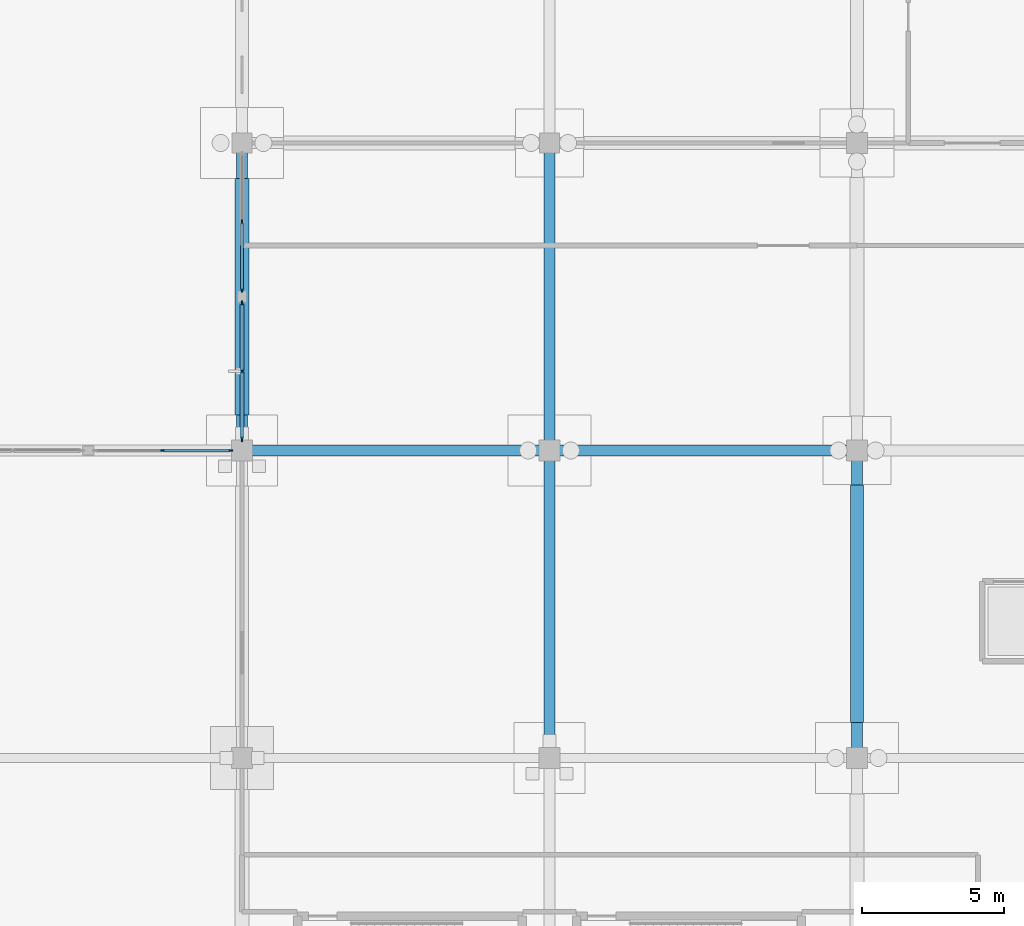
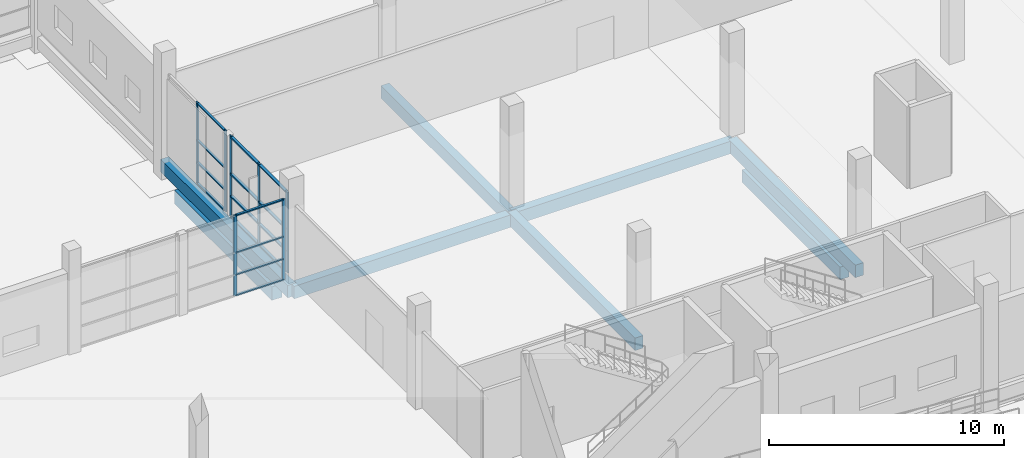
# One storey, part 59 of 138: 23 members, 8 beams, 3 elements without a shape of their own.
"""IFC4 building model written with IfcOpenShell, lengths in metres."""

from ifc_helpers import new_model, si_unit, direction, frame, origin, origin_2d, place, context, subcontext, project, spatial, rectangle, extrude, material, material_profile, profile_set, type_object, element, aggregate, save


model = new_model("IFC4")

# Units and contexts
model_context = context("Model", 3, precision=1e-05, world=origin(), true_north=direction((0.0, 1.0)))
body_context = subcontext(model_context, "Body", "Model", "MODEL_VIEW")
ifc_project = project(units=[si_unit("LENGTHUNIT", "METRE"), si_unit("AREAUNIT", "SQUARE_METRE"), si_unit("VOLUMEUNIT", "CUBIC_METRE"), si_unit("PLANEANGLEUNIT", "RADIAN"), si_unit("MASSUNIT", "GRAM", prefix="KILO")], contexts=[model_context])

# Site, building, storey
site_placement = place(None, origin())
site = spatial("IfcSite", under=ifc_project, at=site_placement, CompositionType="ELEMENT")
building_placement = place(site_placement, origin())
building = spatial("IfcBuilding", under=site, at=building_placement, Name="Zwinboog Wholesale Market", CompositionType="ELEMENT")
storey_placement = place(building_placement, origin())
storey = spatial("IfcBuildingStorey", under=building, at=storey_placement, Name="L00", CompositionType="ELEMENT", Elevation=0.0)

# Beams
ifc_material_1 = material(Name="Precast concrete C45/55", Category="concrete")
ifc_material_profile_1 = material_profile(ifc_material_1, rectangle(XDim=0.39990234375, YDim=0.64990234375, at=origin_2d()), Name="PC 400x650")
ifc_profile_set_1 = profile_set([ifc_material_profile_1], Name="Precast concrete C45/55")
beam_type_1 = type_object("IfcBeamType", Name="BT-05", PredefinedType="BEAM", material=ifc_profile_set_1)
beam_1_placement = place(storey_placement, frame((129.60009765625, 21.60009765625, -0.705078125), z_axis=(1.0, 0.0, 0.0), x_axis=(0.0, 1.0, 0.0)))
element("IfcBeam", 1, at=beam_1_placement, inside=storey, type_object=beam_type_1, Name="BG-05 (BMG-L00-1296-0216-0035)", PredefinedType="BEAM", context=body_context, shape_type="SweptSolid", body=[
    extrude(rectangle(XDim=0.39990234375, YDim=0.64990234375, at=origin_2d()), origin(), (0.0, 0.0, 1.0), 10.7998046875),
])
beam_2_placement = place(storey_placement, frame((140.39990234375, 21.60009765625, -0.6669921875), z_axis=(1.0, 0.0, 0.0), x_axis=(0.0, 1.0, 0.0)))
element("IfcBeam", 2, at=beam_2_placement, inside=storey, type_object=beam_type_1, Name="BG-05 (BMG-L00-1404-0216-0036)", PredefinedType="BEAM", context=body_context, shape_type="SweptSolid", body=[
    extrude(rectangle(XDim=0.39990234375, YDim=0.64990234375, at=origin_2d()), origin(), (0.0, 0.0, 1.0), 10.800048828125),
])
beam_3_placement = place(storey_placement, frame((129.60009765625, 21.60009765625, -0.705078125), z_axis=(0.0, 1.0, 0.0), x_axis=(-1.0, 0.0, 0.0)))
element("IfcBeam", 3, at=beam_3_placement, inside=storey, type_object=beam_type_1, Name="BG-05 (BMG-L00-1296-0216-0331)", PredefinedType="BEAM", context=body_context, shape_type="SweptSolid", body=[
    extrude(rectangle(XDim=0.39990234375, YDim=0.64990234375, at=origin_2d()), origin(), (0.0, 0.0, 1.0), 10.7998046875),
])
beam_4_placement = place(storey_placement, frame((140.39990234375, 10.800048828125, -0.6669921875), z_axis=(0.0, 1.0, 0.0), x_axis=(-1.0, 0.0, 0.0)))
element("IfcBeam", 4, at=beam_4_placement, inside=storey, type_object=beam_type_1, Name="BG-05 (BMG-L00-1404-0108-0342)", PredefinedType="BEAM", context=body_context, shape_type="SweptSolid", body=[
    extrude(rectangle(XDim=0.39990234375, YDim=0.64990234375, at=origin_2d()), origin(), (0.0, 0.0, 1.0), 10.800048828125),
])
beam_5_placement = place(storey_placement, frame((140.39990234375, 21.60009765625, -0.6669921875), z_axis=(0.0, 1.0, 0.0), x_axis=(-1.0, 0.0, 0.0)))
element("IfcBeam", 5, at=beam_5_placement, inside=storey, type_object=beam_type_1, Name="BG-05 (BMG-L00-1404-0216-0343)", PredefinedType="BEAM", context=body_context, shape_type="SweptSolid", body=[
    extrude(rectangle(XDim=0.39990234375, YDim=0.64990234375, at=origin_2d()), origin(), (0.0, 0.0, 1.0), 10.7998046875),
])
beam_6_placement = place(storey_placement, frame((151.199951171875, 10.800048828125, -0.6669921875), z_axis=(0.0, 1.0, 0.0), x_axis=(-1.0, 0.0, 0.0)))
element("IfcBeam", 6, at=beam_6_placement, inside=storey, type_object=beam_type_1, Name="BG-05 (BMG-L00-1512-0108-0354)", PredefinedType="BEAM", context=body_context, shape_type="SweptSolid", body=[
    extrude(rectangle(XDim=0.39990234375, YDim=0.64990234375, at=origin_2d()), origin(), (0.0, 0.0, 1.0), 10.800048828125),
])
ifc_material_2 = material(Name="Concrete C35/45", Category="concrete")
ifc_material_profile_2 = material_profile(ifc_material_2, rectangle(XDim=0.5, YDim=0.699951171875, at=origin_2d()), Name="RC 500x700")
ifc_profile_set_2 = profile_set([ifc_material_profile_2], Name="Concrete C35/45")
beam_type_2 = type_object("IfcBeamType", Name="BT-12", PredefinedType="USERDEFINED", material=ifc_profile_set_2)
beam_7_placement = place(storey_placement, frame((129.60009765625, 22.85498046875, -1.550048828125), z_axis=(0.0, 1.0, 0.0), x_axis=(-1.0, 0.0, 0.0)))
element("IfcBeam", 7, at=beam_7_placement, inside=storey, type_object=beam_type_2, Name="GB-01 (BM-GB-0174)", ObjectType="GROUND_BEAM", PredefinedType="USERDEFINED", context=body_context, shape_type="SweptSolid", body=[
    extrude(rectangle(XDim=0.5, YDim=0.699951171875, at=origin_2d()), origin(), (0.0, 0.0, 1.0), 8.2900390625),
])
ifc_material_profile_3 = material_profile(ifc_material_2, rectangle(XDim=0.449951171875, YDim=0.64990234375, at=origin_2d()), Name="RC 450x650")
ifc_profile_set_3 = profile_set([ifc_material_profile_3], Name="Concrete C35/45")
beam_type_3 = type_object("IfcBeamType", Name="BT-13", PredefinedType="USERDEFINED", material=ifc_profile_set_3)
beam_8_placement = place(storey_placement, frame((151.199951171875, 12.054931640625, -1.52490234375), z_axis=(0.0, 1.0, 0.0), x_axis=(-1.0, 0.0, 0.0)))
element("IfcBeam", 8, at=beam_8_placement, inside=storey, type_object=beam_type_3, Name="GB-02 (BM-GB-0185)", ObjectType="GROUND_BEAM", PredefinedType="USERDEFINED", context=body_context, shape_type="SweptSolid", body=[
    extrude(rectangle(XDim=0.449951171875, YDim=0.64990234375, at=origin_2d()), origin(), (0.0, 0.0, 1.0), 8.340087890625),
])

# Curtain wall, members
ifc_material_3 = material(Name="Aluminium thermally broken curtain wall", Category="aluminium")
curtain_wall_type_1 = type_object("IfcCurtainWallType", Name="CWT-HALL-24", PredefinedType="USERDEFINED", material=ifc_material_3)
curtain_wall_1_placement = place(storey_placement, origin())
curtain_wall_1 = element("IfcCurtainWall", 9, at=curtain_wall_1_placement, inside=storey, type_object=curtain_wall_type_1, Name="CW-03 (CW-L00-045)", ObjectType="UNITIZED_CURTAIN_WALL", PredefinedType="USERDEFINED")
ifc_material_4 = material(Name="Aluminium EN AW-6060", Category="aluminium")
ifc_material_profile_4 = material_profile(ifc_material_4, rectangle(XDim=0.06494140625, YDim=0.179931640625, at=origin_2d()), Name="AL 65x180")
ifc_profile_set_4 = profile_set([ifc_material_profile_4], Name="Aluminium EN AW-6060")
member_type_1 = type_object("IfcMemberType", Name="CWM-65x180", PredefinedType="MULLION", material=ifc_profile_set_4)
member_1_placement = place(storey_placement, frame((129.60009765625, 22.00244140625, 0.0), z_axis=(0.0, 0.0, 1.0), x_axis=(-1.0, 0.0, 0.0)))
member_1 = element("IfcMember", 10, at=member_1_placement, type_object=member_type_1, Name="CW-03 mullion 1", PredefinedType="MULLION", context=body_context, shape_type="SweptSolid", body=[
    extrude(rectangle(XDim=0.06494140625, YDim=0.179931640625, at=origin_2d()), origin(), (0.0, 0.0, 1.0), 4.197998046875),
])
member_2_placement = place(storey_placement, frame((129.60009765625, 24.385009765625, 0.0), z_axis=(0.0, 0.0, 1.0), x_axis=(-1.0, 0.0, 0.0)))
member_2 = element("IfcMember", 11, at=member_2_placement, type_object=member_type_1, Name="CW-03 mullion 2", PredefinedType="MULLION", context=body_context, shape_type="SweptSolid", body=[
    extrude(rectangle(XDim=0.06494140625, YDim=0.179931640625, at=origin_2d()), origin(), (0.0, 0.0, 1.0), 4.197998046875),
])
member_3_placement = place(storey_placement, frame((129.60009765625, 26.767578125, 0.0), z_axis=(0.0, 0.0, 1.0), x_axis=(-1.0, 0.0, 0.0)))
member_3 = element("IfcMember", 12, at=member_3_placement, type_object=member_type_1, Name="CW-03 mullion 3", PredefinedType="MULLION", context=body_context, shape_type="SweptSolid", body=[
    extrude(rectangle(XDim=0.06494140625, YDim=0.179931640625, at=origin_2d()), origin(), (0.0, 0.0, 1.0), 4.197998046875),
])

curtain_wall_type_2 = type_object("IfcCurtainWallType", Name="CWT-OFF-15", PredefinedType="USERDEFINED", material=ifc_material_3)
curtain_wall_2_placement = place(storey_placement, origin())
curtain_wall_2 = element("IfcCurtainWall", 13, at=curtain_wall_2_placement, inside=storey, type_object=curtain_wall_type_2, Name="CW-06 (CW-L00-042)", ObjectType="UNITIZED_CURTAIN_WALL", PredefinedType="USERDEFINED")
ifc_material_profile_5 = material_profile(ifc_material_4, rectangle(XDim=0.06005859375, YDim=0.14990234375, at=origin_2d()), Name="AL 60x150")
ifc_profile_set_5 = profile_set([ifc_material_profile_5], Name="Aluminium EN AW-6060")
member_type_2 = type_object("IfcMemberType", Name="CWM-60x150", PredefinedType="MULLION", material=ifc_profile_set_5)
member_4_placement = place(storey_placement, frame((126.81494140625, 21.60009765625, 0.0), z_axis=(0.0, 0.0, 1.0), x_axis=(0.0, 1.0, 0.0)))
member_4 = element("IfcMember", 14, at=member_4_placement, type_object=member_type_2, Name="CW-06 mullion 2", PredefinedType="MULLION", context=body_context, shape_type="SweptSolid", body=[
    extrude(rectangle(XDim=0.06005859375, YDim=0.14990234375, at=origin_2d()), origin(), (0.0, 0.0, 1.0), 4.197998046875),
])
member_5_placement = place(storey_placement, frame((129.199951171875, 21.60009765625, 0.0), z_axis=(0.0, 0.0, 1.0), x_axis=(0.0, 1.0, 0.0)))
member_5 = element("IfcMember", 15, at=member_5_placement, type_object=member_type_2, Name="CW-06 mullion 3", PredefinedType="MULLION", context=body_context, shape_type="SweptSolid", body=[
    extrude(rectangle(XDim=0.06005859375, YDim=0.14990234375, at=origin_2d()), origin(), (0.0, 0.0, 1.0), 4.197998046875),
])

curtain_wall_type_3 = type_object("IfcCurtainWallType", Name="CWT-GAL-16", PredefinedType="USERDEFINED", material=ifc_material_3)
curtain_wall_3_placement = place(storey_placement, origin())
curtain_wall_3 = element("IfcCurtainWall", 16, at=curtain_wall_3_placement, inside=storey, type_object=curtain_wall_type_3, Name="CW-04 (CW-L00-046)", ObjectType="UNITIZED_CURTAIN_WALL", PredefinedType="USERDEFINED")
member_6_placement = place(storey_placement, frame((129.60009765625, 27.22998046875, 0.0), z_axis=(0.0, 0.0, 1.0), x_axis=(-1.0, 0.0, 0.0)))
member_6 = element("IfcMember", 17, at=member_6_placement, type_object=member_type_2, Name="CW-04 mullion 1", PredefinedType="MULLION", context=body_context, shape_type="SweptSolid", body=[
    extrude(rectangle(XDim=0.06005859375, YDim=0.14990234375, at=origin_2d()), origin(), (0.0, 0.0, 1.0), 4.197998046875),
])
member_7_placement = place(storey_placement, frame((129.60009765625, 29.62744140625, 0.0), z_axis=(0.0, 0.0, 1.0), x_axis=(-1.0, 0.0, 0.0)))
member_7 = element("IfcMember", 18, at=member_7_placement, type_object=member_type_2, Name="CW-04 mullion 2", PredefinedType="MULLION", context=body_context, shape_type="SweptSolid", body=[
    extrude(rectangle(XDim=0.06005859375, YDim=0.14990234375, at=origin_2d()), origin(), (0.0, 0.0, 1.0), 4.197998046875),
])

# Member
ifc_material_profile_6 = material_profile(ifc_material_4, rectangle(XDim=0.139892578125, YDim=0.06494140625, at=origin_2d()), Name="AL 65x140")
ifc_profile_set_6 = profile_set([ifc_material_profile_6], Name="Aluminium EN AW-6060")
member_type_3 = type_object("IfcMemberType", Name="CWT-65x140", PredefinedType="USERDEFINED", material=ifc_profile_set_6)
member_8_placement = place(storey_placement, frame((129.60009765625, 22.034912109375, 0.032470703125), z_axis=(0.0, 1.0, 0.0), x_axis=(-1.0, 0.0, 0.0)))
member_8 = element("IfcMember", 19, at=member_8_placement, type_object=member_type_3, Name="CW-03 transom 1.1", ObjectType="TRANSOM", PredefinedType="USERDEFINED", context=body_context, shape_type="SweptSolid", body=[
    extrude(rectangle(XDim=0.139892578125, YDim=0.06494140625, at=origin_2d()), origin(), (0.0, 0.0, 1.0), 2.317626953125),
])

member_9_placement = place(storey_placement, frame((129.60009765625, 22.034912109375, 1.10009765625), z_axis=(0.0, 1.0, 0.0), x_axis=(-1.0, 0.0, 0.0)))
member_9 = element("IfcMember", 20, at=member_9_placement, type_object=member_type_3, Name="CW-03 transom 1.2", ObjectType="TRANSOM", PredefinedType="USERDEFINED", context=body_context, shape_type="SweptSolid", body=[
    extrude(rectangle(XDim=0.139892578125, YDim=0.06494140625, at=origin_2d()), origin(), (0.0, 0.0, 1.0), 2.317626953125),
])

member_10_placement = place(storey_placement, frame((129.60009765625, 22.034912109375, 2.25), z_axis=(0.0, 1.0, 0.0), x_axis=(-1.0, 0.0, 0.0)))
member_10 = element("IfcMember", 21, at=member_10_placement, type_object=member_type_3, Name="CW-03 transom 1.3", ObjectType="TRANSOM", PredefinedType="USERDEFINED", context=body_context, shape_type="SweptSolid", body=[
    extrude(rectangle(XDim=0.139892578125, YDim=0.06494140625, at=origin_2d()), origin(), (0.0, 0.0, 1.0), 2.317626953125),
])

member_11_placement = place(storey_placement, frame((129.60009765625, 22.034912109375, 4.16552734375), z_axis=(0.0, 1.0, 0.0), x_axis=(-1.0, 0.0, 0.0)))
member_11 = element("IfcMember", 22, at=member_11_placement, type_object=member_type_3, Name="CW-03 transom 1.4", ObjectType="TRANSOM", PredefinedType="USERDEFINED", context=body_context, shape_type="SweptSolid", body=[
    extrude(rectangle(XDim=0.139892578125, YDim=0.06494140625, at=origin_2d()), origin(), (0.0, 0.0, 1.0), 2.317626953125),
])

member_12_placement = place(storey_placement, frame((129.60009765625, 24.41748046875, 0.032470703125), z_axis=(0.0, 1.0, 0.0), x_axis=(-1.0, 0.0, 0.0)))
member_12 = element("IfcMember", 23, at=member_12_placement, type_object=member_type_3, Name="CW-03 transom 2.1", ObjectType="TRANSOM", PredefinedType="USERDEFINED", context=body_context, shape_type="SweptSolid", body=[
    extrude(rectangle(XDim=0.139892578125, YDim=0.06494140625, at=origin_2d()), origin(), (0.0, 0.0, 1.0), 2.317626953125),
])

member_13_placement = place(storey_placement, frame((129.60009765625, 24.41748046875, 1.10009765625), z_axis=(0.0, 1.0, 0.0), x_axis=(-1.0, 0.0, 0.0)))
member_13 = element("IfcMember", 24, at=member_13_placement, type_object=member_type_3, Name="CW-03 transom 2.2", ObjectType="TRANSOM", PredefinedType="USERDEFINED", context=body_context, shape_type="SweptSolid", body=[
    extrude(rectangle(XDim=0.139892578125, YDim=0.06494140625, at=origin_2d()), origin(), (0.0, 0.0, 1.0), 2.317626953125),
])

member_14_placement = place(storey_placement, frame((129.60009765625, 24.41748046875, 2.25), z_axis=(0.0, 1.0, 0.0), x_axis=(-1.0, 0.0, 0.0)))
member_14 = element("IfcMember", 25, at=member_14_placement, type_object=member_type_3, Name="CW-03 transom 2.3", ObjectType="TRANSOM", PredefinedType="USERDEFINED", context=body_context, shape_type="SweptSolid", body=[
    extrude(rectangle(XDim=0.139892578125, YDim=0.06494140625, at=origin_2d()), origin(), (0.0, 0.0, 1.0), 2.317626953125),
])

member_15_placement = place(storey_placement, frame((129.60009765625, 24.41748046875, 4.16552734375), z_axis=(0.0, 1.0, 0.0), x_axis=(-1.0, 0.0, 0.0)))
member_15 = element("IfcMember", 26, at=member_15_placement, type_object=member_type_3, Name="CW-03 transom 2.4", ObjectType="TRANSOM", PredefinedType="USERDEFINED", context=body_context, shape_type="SweptSolid", body=[
    extrude(rectangle(XDim=0.139892578125, YDim=0.06494140625, at=origin_2d()), origin(), (0.0, 0.0, 1.0), 2.317626953125),
])

aggregate(curtain_wall_1, [member_1, member_2, member_3, member_8, member_9, member_10, member_11, member_12, member_13, member_14, member_15])

ifc_material_profile_7 = material_profile(ifc_material_4, rectangle(XDim=0.110107421875, YDim=0.06005859375, at=origin_2d()), Name="AL 60x110")
ifc_profile_set_7 = profile_set([ifc_material_profile_7], Name="Aluminium EN AW-6060")
member_type_4 = type_object("IfcMemberType", Name="CWT-60x110", PredefinedType="USERDEFINED", material=ifc_profile_set_7)
member_16_placement = place(storey_placement, frame((126.844970703125, 21.60009765625, 0.030029296875), z_axis=(1.0, 0.0, 0.0), x_axis=(0.0, 1.0, 0.0)))
member_16 = element("IfcMember", 27, at=member_16_placement, type_object=member_type_4, Name="CW-06 transom 2.1", ObjectType="TRANSOM", PredefinedType="USERDEFINED", context=body_context, shape_type="SweptSolid", body=[
    extrude(rectangle(XDim=0.110107421875, YDim=0.06005859375, at=origin_2d()), origin(), (0.0, 0.0, 1.0), 2.324951171875),
])

member_17_placement = place(storey_placement, frame((126.844970703125, 21.60009765625, 1.10009765625), z_axis=(1.0, 0.0, 0.0), x_axis=(0.0, 1.0, 0.0)))
member_17 = element("IfcMember", 28, at=member_17_placement, type_object=member_type_4, Name="CW-06 transom 2.2", ObjectType="TRANSOM", PredefinedType="USERDEFINED", context=body_context, shape_type="SweptSolid", body=[
    extrude(rectangle(XDim=0.110107421875, YDim=0.06005859375, at=origin_2d()), origin(), (0.0, 0.0, 1.0), 2.324951171875),
])

member_18_placement = place(storey_placement, frame((126.844970703125, 21.60009765625, 2.25), z_axis=(1.0, 0.0, 0.0), x_axis=(0.0, 1.0, 0.0)))
member_18 = element("IfcMember", 29, at=member_18_placement, type_object=member_type_4, Name="CW-06 transom 2.3", ObjectType="TRANSOM", PredefinedType="USERDEFINED", context=body_context, shape_type="SweptSolid", body=[
    extrude(rectangle(XDim=0.110107421875, YDim=0.06005859375, at=origin_2d()), origin(), (0.0, 0.0, 1.0), 2.324951171875),
])

member_19_placement = place(storey_placement, frame((126.844970703125, 21.60009765625, 4.16796875), z_axis=(1.0, 0.0, 0.0), x_axis=(0.0, 1.0, 0.0)))
member_19 = element("IfcMember", 30, at=member_19_placement, type_object=member_type_4, Name="CW-06 transom 2.4", ObjectType="TRANSOM", PredefinedType="USERDEFINED", context=body_context, shape_type="SweptSolid", body=[
    extrude(rectangle(XDim=0.110107421875, YDim=0.06005859375, at=origin_2d()), origin(), (0.0, 0.0, 1.0), 2.324951171875),
])

aggregate(curtain_wall_2, [member_4, member_5, member_16, member_17, member_18, member_19])

member_20_placement = place(storey_placement, frame((129.60009765625, 27.260009765625, 0.030029296875), z_axis=(0.0, 1.0, 0.0), x_axis=(-1.0, 0.0, 0.0)))
member_20 = element("IfcMember", 31, at=member_20_placement, type_object=member_type_4, Name="CW-04 transom 1.1", ObjectType="TRANSOM", PredefinedType="USERDEFINED", context=body_context, shape_type="SweptSolid", body=[
    extrude(rectangle(XDim=0.110107421875, YDim=0.06005859375, at=origin_2d()), origin(), (0.0, 0.0, 1.0), 2.33740234375),
])

member_21_placement = place(storey_placement, frame((129.60009765625, 27.260009765625, 1.10009765625), z_axis=(0.0, 1.0, 0.0), x_axis=(-1.0, 0.0, 0.0)))
member_21 = element("IfcMember", 32, at=member_21_placement, type_object=member_type_4, Name="CW-04 transom 1.2", ObjectType="TRANSOM", PredefinedType="USERDEFINED", context=body_context, shape_type="SweptSolid", body=[
    extrude(rectangle(XDim=0.110107421875, YDim=0.06005859375, at=origin_2d()), origin(), (0.0, 0.0, 1.0), 2.33740234375),
])

member_22_placement = place(storey_placement, frame((129.60009765625, 27.260009765625, 2.25), z_axis=(0.0, 1.0, 0.0), x_axis=(-1.0, 0.0, 0.0)))
member_22 = element("IfcMember", 33, at=member_22_placement, type_object=member_type_4, Name="CW-04 transom 1.3", ObjectType="TRANSOM", PredefinedType="USERDEFINED", context=body_context, shape_type="SweptSolid", body=[
    extrude(rectangle(XDim=0.110107421875, YDim=0.06005859375, at=origin_2d()), origin(), (0.0, 0.0, 1.0), 2.33740234375),
])

member_23_placement = place(storey_placement, frame((129.60009765625, 27.260009765625, 4.16796875), z_axis=(0.0, 1.0, 0.0), x_axis=(-1.0, 0.0, 0.0)))
member_23 = element("IfcMember", 34, at=member_23_placement, type_object=member_type_4, Name="CW-04 transom 1.4", ObjectType="TRANSOM", PredefinedType="USERDEFINED", context=body_context, shape_type="SweptSolid", body=[
    extrude(rectangle(XDim=0.110107421875, YDim=0.06005859375, at=origin_2d()), origin(), (0.0, 0.0, 1.0), 2.33740234375),
])

aggregate(curtain_wall_3, [member_6, member_7, member_20, member_21, member_22, member_23])

save(model, "model.ifc")
